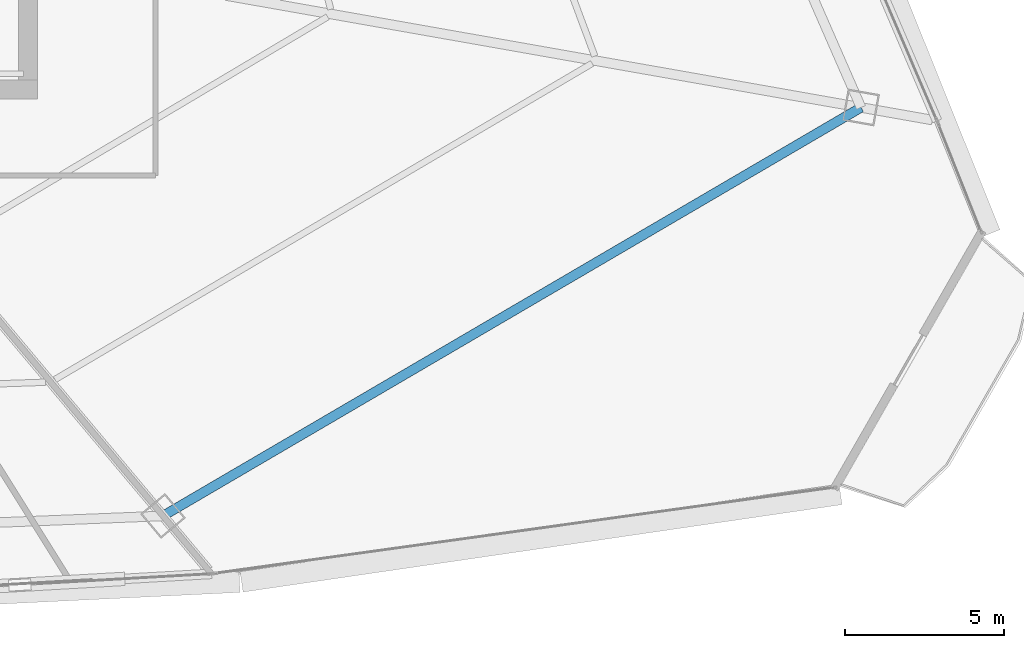
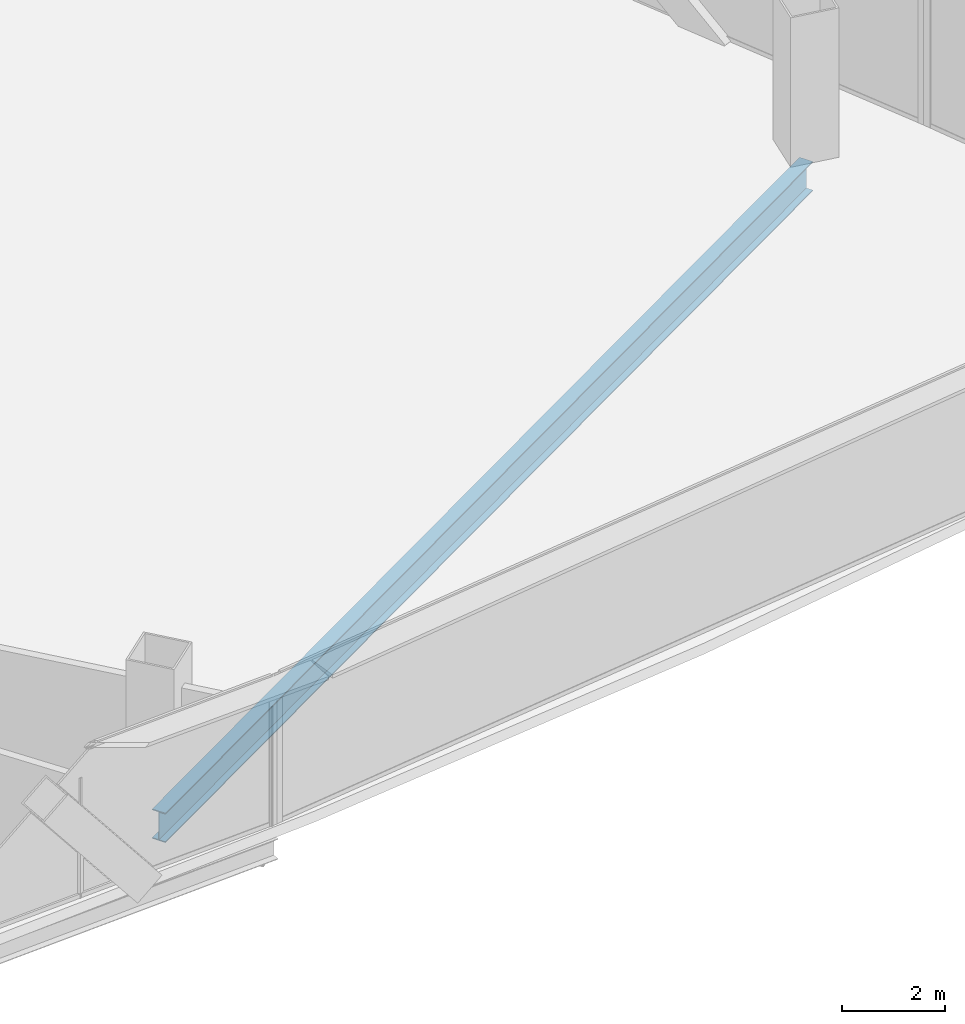
# One storey, part 21 of 37: 1 beam.
"""IFC4 building model written with IfcOpenShell, lengths in metres."""

from ifc_helpers import new_model, si_unit, direction, frame, origin, origin_2d, place, context, subcontext, project, spatial, i_section, extrude, source, transform, mapped, material, material_profile, profile_set, type_object, element, save


model = new_model("IFC4")

# Units and contexts
model_context = context("Model", 3, precision=1e-05, world=origin(), true_north=direction((0.0, 1.0)))
body_context = subcontext(model_context, "Body", "Model", "MODEL_VIEW")
ifc_project = project(units=[si_unit("LENGTHUNIT", "METRE"), si_unit("AREAUNIT", "SQUARE_METRE"), si_unit("VOLUMEUNIT", "CUBIC_METRE"), si_unit("PLANEANGLEUNIT", "RADIAN"), si_unit("MASSUNIT", "GRAM", prefix="KILO"), si_unit("THERMODYNAMICTEMPERATUREUNIT", "KELVIN"), si_unit("POWERUNIT", "WATT")], contexts=[model_context])

# Site, building, storey
site_placement = place(None, origin())
site = spatial("IfcSite", under=ifc_project, at=site_placement, CompositionType="ELEMENT")
building_placement = place(site_placement, origin())
building = spatial("IfcBuilding", under=site, at=building_placement, Name="Yunzhuo Pagoda Commons", CompositionType="ELEMENT")
storey_placement = place(building_placement, frame((0.0, 0.0, 84.97998046875)))
storey = spatial("IfcBuildingStorey", under=building, at=storey_placement, Name="L21", CompositionType="ELEMENT", Elevation=84.97998046875)

# Beam
ifc_material = material(Name="Structural steel Q355B", Category="steel")
ifc_material_profile = material_profile(ifc_material, i_section(OverallWidth=0.300048828125, OverallDepth=0.699951171875, WebThickness=0.012939453125, FlangeThickness=0.02392578125, at=origin_2d()), Name="Structural steel Q355B")
ifc_profile_set = profile_set([ifc_material_profile], Name="Structural steel Q355B")
beam_type = type_object("IfcBeamType", Name="B-RG1 Beam HN 700x300x13x24", PredefinedType="BEAM", material=ifc_profile_set)
shared_shape = source(origin(), body_context, "Body", "SweptSolid", [
    extrude(i_section(OverallWidth=0.300048828125, OverallDepth=0.699951171875, WebThickness=0.012939453125, FlangeThickness=0.02392578125, at=origin_2d()), origin(), (0.0, 0.0, 1.0), 25.3935546875),
])
beam_placement = place(storey_placement, frame((64.43603515625, 14.1123046875, -0.60986328125), z_axis=(0.863085207128, 0.505058338449, 0.0), x_axis=(-0.505058338449, 0.863085207128, 0.0)))
element("IfcBeam", 1, at=beam_placement, inside=storey, type_object=beam_type, Name="L21 column-ring beam 4", PredefinedType="BEAM", context=body_context, shape_type="MappedRepresentation", body=[
    mapped(shared_shape, transform((0.0, 0.0, 0.0), scale=1.0)),
])

save(model, "model.ifc")
